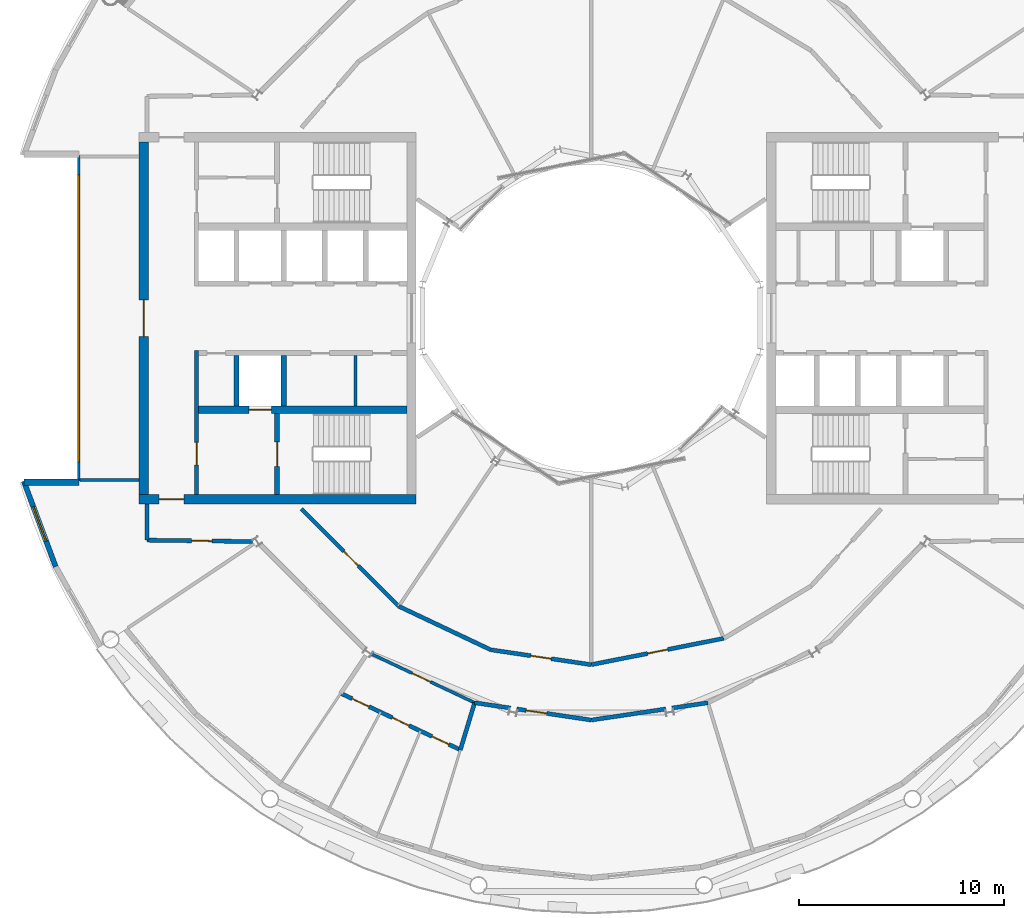
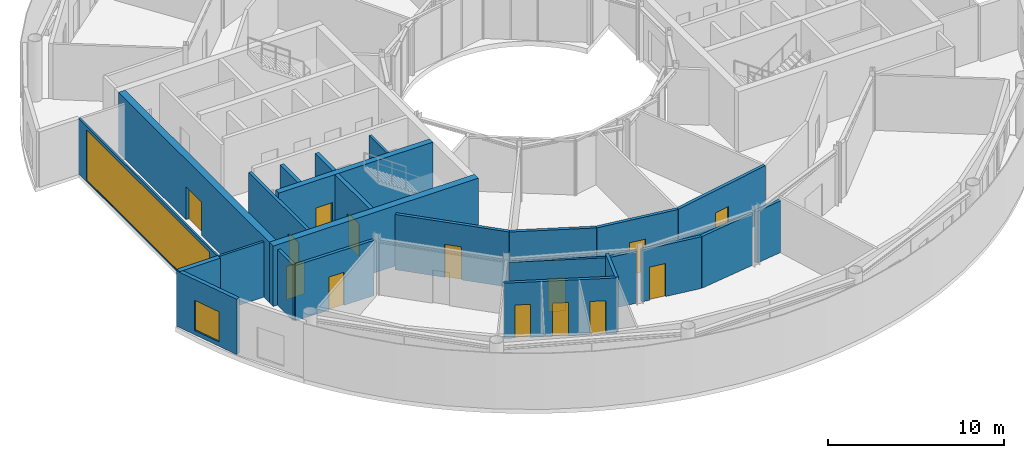
# One storey, part 14 of 22: 25 walls, 14 doors, 2 windows, 16 openings.
"""IFC4 building model written with IfcOpenShell, lengths in metres."""

from ifc_helpers import new_model, si_unit, direction, frame, frame_2d, origin, place, context, subcontext, project, spatial, rectangle, extrude, material, layer, layer_set, type_object, element, fill, save


model = new_model("IFC4")

# Units and contexts
model_context = context("Model", 3, precision=1e-05, world=origin(), true_north=direction((0.0, 1.0)))
body_context = subcontext(model_context, "Body", "Model", "MODEL_VIEW")
ifc_project = project(units=[si_unit("LENGTHUNIT", "METRE"), si_unit("AREAUNIT", "SQUARE_METRE"), si_unit("VOLUMEUNIT", "CUBIC_METRE"), si_unit("PLANEANGLEUNIT", "RADIAN"), si_unit("MASSUNIT", "GRAM", prefix="KILO")], contexts=[model_context])

# Site, building, storey
site_placement = place(None, origin())
site = spatial("IfcSite", under=ifc_project, at=site_placement, CompositionType="ELEMENT")
building_placement = place(site_placement, origin())
building = spatial("IfcBuilding", under=site, at=building_placement, Name="Maasbend Ring Residences", CompositionType="ELEMENT")
storey_placement = place(building_placement, frame((0.0, 0.0, 208.5)))
storey = spatial("IfcBuildingStorey", under=building, at=storey_placement, Name="L60", CompositionType="ELEMENT", Elevation=208.5)

# Wall, opening, door
ifc_material_1 = material(Name="Concrete C50/60", Category="concrete")
ifc_layer_1 = layer(ifc_material_1, 0.25)
ifc_layer_set_1 = layer_set([ifc_layer_1], Name="Concrete C50/60")
wall_type_1 = type_object("IfcWallType", Name="CORE WALL 250 C50/60", PredefinedType="SHEAR", material=ifc_layer_set_1)
wall_1_placement = place(storey_placement, frame((-15.324951171875, -4.64990234375, 0.0), z_axis=(0.0, 0.0, 1.0), x_axis=(0.0, -1.0, 0.0)))
wall_1 = element("IfcWall", 1, at=wall_1_placement, inside=storey, type_object=wall_type_1, Name="L60 core W wall STEN", PredefinedType="SHEAR", context=body_context, shape_type="SweptSolid", body=[
    extrude(rectangle(XDim=3.9501953125, YDim=0.25, at=frame_2d((1.97509765625, 0.0))), origin(), (0.0, 0.0, 1.0), 4.199951171875),
])
opening_1_placement = place(wall_1_placement, frame((1.375, 0.0, 0.0)))
opening_1 = element("IfcOpeningElement", 2, at=opening_1_placement, cuts=wall_1, Name="Opening D-W6010", PredefinedType="OPENING", context=body_context, shape_type="SweptSolid", body=[
    extrude(rectangle(XDim=1.199951171875, YDim=2.300048828125, at=frame_2d((0.60009765625, 1.14990234375))), frame((0.0, 0.135009765625, 0.0), z_axis=(0.0, -1.0, 0.0), x_axis=(1.0, 0.0, 0.0)), (0.0, 0.0, 1.0), 0.27001953125),
])
ifc_material_2 = material(Name="Steel, powder coated", Category="steel")
door_type_1 = type_object("IfcDoorType", Name="STAIR DOOR 1200 X 2300 FD60", OperationType="NOTDEFINED", PredefinedType="DOOR", material=ifc_material_2)
door_1_placement = place(opening_1_placement, origin())
door_1 = element("IfcDoor", 3, at=door_1_placement, inside=storey, type_object=door_type_1, Name="Stair door ST-W L60", OperationType="SINGLE_SWING_LEFT", OverallHeight=2.300048828125, OverallWidth=1.199951171875, PredefinedType="DOOR", context=body_context, shape_type="SweptSolid", body=[
    extrude(rectangle(XDim=1.199951171875, YDim=2.300048828125, at=frame_2d((0.60009765625, 1.14990234375))), frame((0.0, 0.02490234375, 0.0), z_axis=(0.0, -1.0, 0.0), x_axis=(1.0, 0.0, 0.0)), (0.0, 0.0, 1.0), 0.050048828125),
])
fill(opening_1, door_1)

ifc_material_3 = material(Name="Concrete C50/60", Category="concrete")
ifc_layer_2 = layer(ifc_material_3, 0.375)
ifc_layer_set_2 = layer_set([ifc_layer_2], Name="Concrete C50/60")
wall_type_2 = type_object("IfcWallType", Name="CORE WALL 375 C50/60", PredefinedType="SHEAR", material=ifc_layer_set_2)
wall_2_placement = place(storey_placement, frame((-9.0, -4.46240234375, 0.0), z_axis=(0.0, 0.0, 1.0), x_axis=(-1.0, 0.0, 0.0)))
wall_2 = element("IfcWall", 4, at=wall_2_placement, inside=storey, type_object=wall_type_2, Name="L60 core W wall BN", PredefinedType="SHEAR", context=body_context, shape_type="SweptSolid", body=[
    extrude(rectangle(XDim=10.14990234375, YDim=0.375, at=frame_2d((5.074951171875, 0.0))), origin(), (0.0, 0.0, 1.0), 4.199951171875),
])
opening_2_placement = place(wall_2_placement, frame((6.60009765625, 0.0, 0.0)))
opening_2 = element("IfcOpeningElement", 5, at=opening_2_placement, cuts=wall_2, Name="Opening LD-W6001", PredefinedType="OPENING", context=body_context, shape_type="SweptSolid", body=[
    extrude(rectangle(XDim=1.10009765625, YDim=2.300048828125, at=frame_2d((0.550048828125, 1.14990234375))), frame((0.0, 0.197509765625, 0.0), z_axis=(0.0, -1.0, 0.0), x_axis=(1.0, 0.0, 0.0)), (0.0, 0.0, 1.0), 0.39501953125),
])
ifc_material_4 = material(Name="Stainless steel 316", Category="steel")
door_type_2 = type_object("IfcDoorType", Name="LANDING DOOR 1100 X 2300 FD60", OperationType="DOUBLE_DOOR_SLIDING", PredefinedType="DOOR", material=ifc_material_4)
door_2_placement = place(opening_2_placement, origin())
door_2 = element("IfcDoor", 6, at=door_2_placement, inside=storey, type_object=door_type_2, Name="Landing door FF-W L60", OperationType="DOUBLE_DOOR_SLIDING", OverallHeight=2.300048828125, OverallWidth=1.10009765625, PredefinedType="DOOR", context=body_context, shape_type="SweptSolid", body=[
    extrude(rectangle(XDim=1.10009765625, YDim=2.300048828125, at=frame_2d((0.550048828125, 1.14990234375))), frame((0.0, 0.02490234375, 0.0), z_axis=(0.0, -1.0, 0.0), x_axis=(1.0, 0.0, 0.0)), (0.0, 0.0, 1.0), 0.050048828125),
])
fill(opening_2, door_2)

ifc_material_5 = material(Name="Concrete C50/60", Category="concrete")
ifc_layer_3 = layer(ifc_material_5, 0.449951171875)
ifc_layer_set_3 = layer_set([ifc_layer_3], Name="Concrete C50/60")
wall_type_3 = type_object("IfcWallType", Name="CORE WALL 450 C50/60", PredefinedType="SHEAR", material=ifc_layer_set_3)
wall_3_placement = place(storey_placement, frame((-22.050048828125, -8.824951171875, 0.0), z_axis=(0.0, 0.0, 1.0), x_axis=(1.0, 0.0, 0.0)))
wall_3 = element("IfcWall", 7, at=wall_3_placement, inside=storey, type_object=wall_type_3, Name="L60 core W wall PN", PredefinedType="SHEAR", context=body_context, shape_type="SweptSolid", body=[
    extrude(rectangle(XDim=13.5, YDim=0.449951171875, at=frame_2d((6.75, 0.0))), origin(), (0.0, 0.0, 1.0), 4.199951171875),
])
opening_3_placement = place(wall_3_placement, frame((0.97509765625, 0.0, 0.0)))
opening_3 = element("IfcOpeningElement", 8, at=opening_3_placement, cuts=wall_3, Name="Opening D-W6014", PredefinedType="OPENING", context=body_context, shape_type="SweptSolid", body=[
    extrude(rectangle(XDim=1.199951171875, YDim=2.300048828125, at=frame_2d((0.60009765625, 1.14990234375))), frame((0.0, 0.23486328125, 0.0), z_axis=(0.0, -1.0, 0.0), x_axis=(1.0, 0.0, 0.0)), (0.0, 0.0, 1.0), 0.469970703125),
])
ifc_material_6 = material(Name="Steel, powder coated", Category="steel")
door_type_3 = type_object("IfcDoorType", Name="CORRIDOR DOOR 1200 X 2300 FD30S", OperationType="NOTDEFINED", PredefinedType="DOOR", material=ifc_material_6)
door_3_placement = place(opening_3_placement, origin())
door_3 = element("IfcDoor", 9, at=door_3_placement, inside=storey, type_object=door_type_3, Name="Corridor door L60", OperationType="SINGLE_SWING_RIGHT", OverallHeight=2.300048828125, OverallWidth=1.199951171875, PredefinedType="DOOR", context=body_context, shape_type="SweptSolid", body=[
    extrude(rectangle(XDim=1.199951171875, YDim=2.300048828125, at=frame_2d((0.60009765625, 1.14990234375))), frame((0.0, 0.02490234375, 0.0), z_axis=(0.0, -1.0, 0.0), x_axis=(1.0, 0.0, 0.0)), (0.0, 0.0, 1.0), 0.050048828125),
])
fill(opening_3, door_3)

wall_4_placement = place(storey_placement, frame((-21.824951171875, -8.60009765625, 0.0), z_axis=(0.0, 0.0, 1.0), x_axis=(0.0, 1.0, 0.0)))
wall_4 = element("IfcWall", 10, at=wall_4_placement, inside=storey, type_object=wall_type_3, Name="L60 core W wall POUT", PredefinedType="SHEAR", context=body_context, shape_type="SweptSolid", body=[
    extrude(rectangle(XDim=17.2001953125, YDim=0.449951171875, at=frame_2d((8.60009765625, 0.0))), origin(), (0.0, 0.0, 1.0), 4.199951171875),
])
opening_4_placement = place(wall_4_placement, frame((7.699951171875, 0.0, 0.0)))
opening_4 = element("IfcOpeningElement", 11, at=opening_4_placement, cuts=wall_4, Name="Opening D-W6016", PredefinedType="OPENING", context=body_context, shape_type="SweptSolid", body=[
    extrude(rectangle(XDim=1.800048828125, YDim=2.300048828125, at=frame_2d((0.89990234375, 1.14990234375))), frame((0.0, 0.23486328125, 0.0), z_axis=(0.0, -1.0, 0.0), x_axis=(1.0, 0.0, 0.0)), (0.0, 0.0, 1.0), 0.469970703125),
])
ifc_material_7 = material(Name="Aluminium frame, clear glass", Category="aluminium")
door_type_4 = type_object("IfcDoorType", Name="ENTRANCE DOOR 1800 X 2300 FD60", OperationType="NOTDEFINED", PredefinedType="DOOR", material=ifc_material_7)
door_4_placement = place(opening_4_placement, origin())
door_4 = element("IfcDoor", 12, at=door_4_placement, inside=storey, type_object=door_type_4, Name="Lobby glazed door L60", OperationType="SINGLE_SWING_LEFT", OverallHeight=2.300048828125, OverallWidth=1.800048828125, PredefinedType="DOOR", context=body_context, shape_type="SweptSolid", body=[
    extrude(rectangle(XDim=1.800048828125, YDim=2.300048828125, at=frame_2d((0.89990234375, 1.14990234375))), frame((0.0, 0.02490234375, 0.0), z_axis=(0.0, -1.0, 0.0), x_axis=(1.0, 0.0, 0.0)), (0.0, 0.0, 1.0), 0.050048828125),
])
fill(opening_4, door_4)

# Wall, openings, doors
ifc_material_8 = material(Name="Concrete C30/37", Category="concrete")
ifc_layer_4 = layer(ifc_material_8, 0.199951171875)
ifc_layer_set_4 = layer_set([ifc_layer_4], Name="Concrete C30/37")
wall_type_4 = type_object("IfcWallType", Name="CORRIDOR WALL 200 CONCRETE", PredefinedType="PARTITIONING", material=ifc_layer_set_4)
wall_5_placement = place(storey_placement, frame((-12.222900390625, -18.2939453125, 0.0), z_axis=(0.0, 0.0, 1.0), x_axis=(0.904110764787, -0.427298168726, 0.0)))
wall_5 = element("IfcWall", 13, at=wall_5_placement, inside=storey, type_object=wall_type_4, Name="U-L60-w001", PredefinedType="PARTITIONING", context=body_context, shape_type="SweptSolid", body=[
    extrude(rectangle(XDim=6.459228515625, YDim=0.199951171875, at=frame_2d((3.2294921875, 0.0))), origin(), (0.0, 0.0, 1.0), 3.85009765625),
])
opening_5_placement = place(wall_5_placement, frame((0.6240234375, 0.0, 0.0)))
opening_5 = element("IfcOpeningElement", 14, at=opening_5_placement, cuts=wall_5, Name="Opening D-6005", PredefinedType="OPENING", context=body_context, shape_type="SweptSolid", body=[
    extrude(rectangle(XDim=0.89990234375, YDim=2.300048828125, at=frame_2d((0.449951171875, 1.14990234375))), frame((0.0, 0.10986328125, 0.0), z_axis=(0.0, -1.0, 0.0), x_axis=(1.0, 0.0, 0.0)), (0.0, 0.0, 1.0), 0.219970703125),
])
opening_6_placement = place(wall_5_placement, frame((2.7880859375, 0.0, 0.0)))
opening_6 = element("IfcOpeningElement", 15, at=opening_6_placement, cuts=wall_5, Name="Opening D-6006", PredefinedType="OPENING", context=body_context, shape_type="SweptSolid", body=[
    extrude(rectangle(XDim=0.89990234375, YDim=2.300048828125, at=frame_2d((0.449951171875, 1.14990234375))), frame((0.0, 0.10986328125, 0.0), z_axis=(0.0, -1.0, 0.0), x_axis=(1.0, 0.0, 0.0)), (0.0, 0.0, 1.0), 0.219970703125),
])
opening_7_placement = place(wall_5_placement, frame((4.929931640625, 0.0, 0.0)))
opening_7 = element("IfcOpeningElement", 16, at=opening_7_placement, cuts=wall_5, Name="Opening D-6007", PredefinedType="OPENING", context=body_context, shape_type="SweptSolid", body=[
    extrude(rectangle(XDim=0.89990234375, YDim=2.300048828125, at=frame_2d((0.449951171875, 1.14990234375))), frame((0.0, 0.10986328125, 0.0), z_axis=(0.0, -1.0, 0.0), x_axis=(1.0, 0.0, 0.0)), (0.0, 0.0, 1.0), 0.219970703125),
])
ifc_material_9 = material(Name="Timber, painted", Category="wood")
door_type_5 = type_object("IfcDoorType", Name="INTERNAL DOOR 900 X 2300", OperationType="NOTDEFINED", PredefinedType="DOOR", material=ifc_material_9)
door_5_placement = place(opening_5_placement, origin())
door_5 = element("IfcDoor", 17, at=door_5_placement, inside=storey, type_object=door_type_5, Name="D-6005", OperationType="SINGLE_SWING_LEFT", OverallHeight=2.300048828125, OverallWidth=0.89990234375, PredefinedType="DOOR", context=body_context, shape_type="SweptSolid", body=[
    extrude(rectangle(XDim=0.89990234375, YDim=2.300048828125, at=frame_2d((0.449951171875, 1.14990234375))), frame((0.0, 0.02490234375, 0.0), z_axis=(0.0, -1.0, 0.0), x_axis=(1.0, 0.0, 0.0)), (0.0, 0.0, 1.0), 0.050048828125),
])
fill(opening_5, door_5)
door_6_placement = place(opening_6_placement, origin())
door_6 = element("IfcDoor", 18, at=door_6_placement, inside=storey, type_object=door_type_5, Name="D-6006", OperationType="SINGLE_SWING_RIGHT", OverallHeight=2.300048828125, OverallWidth=0.89990234375, PredefinedType="DOOR", context=body_context, shape_type="SweptSolid", body=[
    extrude(rectangle(XDim=0.89990234375, YDim=2.300048828125, at=frame_2d((0.449951171875, 1.14990234375))), frame((0.0, 0.02490234375, 0.0), z_axis=(0.0, -1.0, 0.0), x_axis=(1.0, 0.0, 0.0)), (0.0, 0.0, 1.0), 0.050048828125),
])
fill(opening_6, door_6)
door_7_placement = place(opening_7_placement, origin())
door_7 = element("IfcDoor", 19, at=door_7_placement, inside=storey, type_object=door_type_5, Name="D-6007", OperationType="SINGLE_SWING_RIGHT", OverallHeight=2.300048828125, OverallWidth=0.89990234375, PredefinedType="DOOR", context=body_context, shape_type="SweptSolid", body=[
    extrude(rectangle(XDim=0.89990234375, YDim=2.300048828125, at=frame_2d((0.449951171875, 1.14990234375))), frame((0.0, 0.02490234375, 0.0), z_axis=(0.0, -1.0, 0.0), x_axis=(1.0, 0.0, 0.0)), (0.0, 0.0, 1.0), 0.050048828125),
])
fill(opening_7, door_7)

# Wall
wall_6_placement = place(storey_placement, frame((-5.68994140625, -18.756103515625, 0.0), z_axis=(0.0, 0.0, 1.0), x_axis=(0.989189411235, -0.1466434748, 0.0)))
element("IfcWall", 20, at=wall_6_placement, inside=storey, type_object=wall_type_4, Name="U-L60-w005", PredefinedType="PARTITIONING", context=body_context, shape_type="SweptSolid", body=[
    extrude(rectangle(XDim=1.773193359375, YDim=0.199951171875, at=frame_2d((0.88671875, 0.0))), origin(), (0.0, 0.0, 1.0), 3.60009765625),
])

# Wall, opening, door
wall_7_placement = place(storey_placement, frame((-3.637939453125, -19.06005859375, 0.0), z_axis=(0.0, 0.0, 1.0), x_axis=(0.989160650509, -0.146837350441, 0.0)))
wall_7 = element("IfcWall", 21, at=wall_7_placement, inside=storey, type_object=wall_type_4, Name="U-L60-w006", PredefinedType="PARTITIONING", context=body_context, shape_type="SweptSolid", body=[
    extrude(rectangle(XDim=3.677734375, YDim=0.199951171875, at=frame_2d((1.8388671875, 0.0))), origin(), (0.0, 0.0, 1.0), 3.60009765625),
])
opening_8_placement = place(wall_7_placement, frame((0.47607421875, 0.0, 0.0)))
opening_8 = element("IfcOpeningElement", 22, at=opening_8_placement, cuts=wall_7, Name="Opening D-6017", PredefinedType="OPENING", context=body_context, shape_type="SweptSolid", body=[
    extrude(rectangle(XDim=1.0, YDim=2.300048828125, at=frame_2d((0.5, 1.14990234375))), frame((0.0, 0.10986328125, 0.0), z_axis=(0.0, -1.0, 0.0), x_axis=(1.0, 0.0, 0.0)), (0.0, 0.0, 1.0), 0.219970703125),
])
ifc_material_10 = material(Name="Timber, painted", Category="wood")
door_type_6 = type_object("IfcDoorType", Name="ROOM DOOR 1000 X 2300", OperationType="NOTDEFINED", PredefinedType="DOOR", material=ifc_material_10)
door_8_placement = place(opening_8_placement, origin())
door_8 = element("IfcDoor", 23, at=door_8_placement, inside=storey, type_object=door_type_6, Name="D-6017", OperationType="SINGLE_SWING_LEFT", OverallHeight=2.300048828125, OverallWidth=1.0, PredefinedType="DOOR", context=body_context, shape_type="SweptSolid", body=[
    extrude(rectangle(XDim=1.0, YDim=2.300048828125, at=frame_2d((0.5, 1.14990234375))), frame((0.0, 0.02490234375, 0.0), z_axis=(0.0, -1.0, 0.0), x_axis=(1.0, 0.0, 0.0)), (0.0, 0.0, 1.0), 0.050048828125),
])
fill(opening_8, door_8)

# Walls
wall_8_placement = place(storey_placement, frame((0.0, -19.60009765625, 0.0), z_axis=(0.0, 0.0, 1.0), x_axis=(0.989160650509, 0.146837350441, 0.0)))
element("IfcWall", 24, at=wall_8_placement, inside=storey, type_object=wall_type_4, Name="U-L60-w007", PredefinedType="PARTITIONING", context=body_context, shape_type="SweptSolid", body=[
    extrude(rectangle(XDim=3.677734375, YDim=0.199951171875, at=frame_2d((1.8388671875, 0.0))), origin(), (0.0, 0.0, 1.0), 3.60009765625),
])
wall_9_placement = place(storey_placement, frame((3.93603515625, -19.01611328125, 0.0), z_axis=(0.0, 0.0, 1.0), x_axis=(0.989189411235, 0.1466434748, 0.0)))
element("IfcWall", 25, at=wall_9_placement, inside=storey, type_object=wall_type_4, Name="U-L60-w008", PredefinedType="PARTITIONING", context=body_context, shape_type="SweptSolid", body=[
    extrude(rectangle(XDim=1.773193359375, YDim=0.199951171875, at=frame_2d((0.88671875, 0.0))), origin(), (0.0, 0.0, 1.0), 3.60009765625),
])
wall_10_placement = place(storey_placement, frame((-9.388916015625, -14.052001953125, 0.0), z_axis=(0.0, 0.0, 1.0), x_axis=(0.904000314399, -0.427531790123, 0.0)))
element("IfcWall", 26, at=wall_10_placement, inside=storey, type_object=wall_type_4, Name="U-L60-w013", PredefinedType="PARTITIONING", context=body_context, shape_type="SweptSolid", body=[
    extrude(rectangle(XDim=4.958984375, YDim=0.199951171875, at=frame_2d((2.4794921875, 0.0))), origin(), (0.0, 0.0, 1.0), 3.85009765625),
])

# Wall, opening, door
wall_11_placement = place(storey_placement, frame((-4.906005859375, -16.172119140625, 0.0), z_axis=(0.0, 0.0, 1.0), x_axis=(0.989175164373, -0.146739545409, 0.0)))
wall_11 = element("IfcWall", 27, at=wall_11_placement, inside=storey, type_object=wall_type_4, Name="U-L60-w014", PredefinedType="PARTITIONING", context=body_context, shape_type="SweptSolid", body=[
    extrude(rectangle(XDim=4.959716796875, YDim=0.199951171875, at=frame_2d((2.47998046875, 0.0))), origin(), (0.0, 0.0, 1.0), 3.85009765625),
])
opening_9_placement = place(wall_11_placement, frame((1.97998046875, 0.0, 0.0)))
opening_9 = element("IfcOpeningElement", 28, at=opening_9_placement, cuts=wall_11, Name="Opening D-6020", PredefinedType="OPENING", context=body_context, shape_type="SweptSolid", body=[
    extrude(rectangle(XDim=1.0, YDim=2.300048828125, at=frame_2d((0.5, 1.14990234375))), frame((0.0, 0.10986328125, 0.0), z_axis=(0.0, -1.0, 0.0), x_axis=(1.0, 0.0, 0.0)), (0.0, 0.0, 1.0), 0.219970703125),
])
door_9_placement = place(opening_9_placement, origin())
door_9 = element("IfcDoor", 29, at=door_9_placement, inside=storey, type_object=door_type_6, Name="D-6020", OperationType="SINGLE_SWING_LEFT", OverallHeight=2.300048828125, OverallWidth=1.0, PredefinedType="DOOR", context=body_context, shape_type="SweptSolid", body=[
    extrude(rectangle(XDim=1.0, YDim=2.300048828125, at=frame_2d((0.5, 1.14990234375))), frame((0.0, 0.02490234375, 0.0), z_axis=(0.0, -1.0, 0.0), x_axis=(1.0, 0.0, 0.0)), (0.0, 0.0, 1.0), 0.050048828125),
])
fill(opening_9, door_9)

wall_12_placement = place(storey_placement, frame((-14.14111328125, -9.300048828125, 0.0), z_axis=(0.0, 0.0, 1.0), x_axis=(0.707124944964, -0.707088616942, 0.0)))
wall_12 = element("IfcWall", 30, at=wall_12_placement, inside=storey, type_object=wall_type_4, Name="U-L60-w017", PredefinedType="PARTITIONING", context=body_context, shape_type="SweptSolid", body=[
    extrude(rectangle(XDim=6.720458984375, YDim=0.199951171875, at=frame_2d((3.3603515625, 0.0))), origin(), (0.0, 0.0, 1.0), 3.85009765625),
])
opening_10_placement = place(wall_12_placement, frame((2.923095703125, 0.0, 0.0)))
opening_10 = element("IfcOpeningElement", 31, at=opening_10_placement, cuts=wall_12, Name="Opening D-6019", PredefinedType="OPENING", context=body_context, shape_type="SweptSolid", body=[
    extrude(rectangle(XDim=1.0, YDim=2.300048828125, at=frame_2d((0.5, 1.14990234375))), frame((0.0, 0.10986328125, 0.0), z_axis=(0.0, -1.0, 0.0), x_axis=(1.0, 0.0, 0.0)), (0.0, 0.0, 1.0), 0.219970703125),
])
door_10_placement = place(opening_10_placement, origin())
door_10 = element("IfcDoor", 32, at=door_10_placement, inside=storey, type_object=door_type_6, Name="D-6019", OperationType="SINGLE_SWING_LEFT", OverallHeight=2.300048828125, OverallWidth=1.0, PredefinedType="DOOR", context=body_context, shape_type="SweptSolid", body=[
    extrude(rectangle(XDim=1.0, YDim=2.300048828125, at=frame_2d((0.5, 1.14990234375))), frame((0.0, 0.02490234375, 0.0), z_axis=(0.0, -1.0, 0.0), x_axis=(1.0, 0.0, 0.0)), (0.0, 0.0, 1.0), 0.050048828125),
])
fill(opening_10, door_10)

wall_13_placement = place(storey_placement, frame((0.0, -16.89990234375, 0.0), z_axis=(0.0, 0.0, 1.0), x_axis=(0.980799374359, 0.195019453537, 0.0)))
wall_13 = element("IfcWall", 33, at=wall_13_placement, inside=storey, type_object=wall_type_4, Name="U-L60-w018", PredefinedType="PARTITIONING", context=body_context, shape_type="SweptSolid", body=[
    extrude(rectangle(XDim=6.59375, YDim=0.199951171875, at=frame_2d((3.296875, 0.0))), origin(), (0.0, 0.0, 1.0), 3.85009765625),
])
opening_11_placement = place(wall_13_placement, frame((2.797119140625, 0.0, 0.0)))
opening_11 = element("IfcOpeningElement", 34, at=opening_11_placement, cuts=wall_13, Name="Opening D-6021", PredefinedType="OPENING", context=body_context, shape_type="SweptSolid", body=[
    extrude(rectangle(XDim=1.0, YDim=2.300048828125, at=frame_2d((0.5, 1.14990234375))), frame((0.0, 0.10986328125, 0.0), z_axis=(0.0, -1.0, 0.0), x_axis=(1.0, 0.0, 0.0)), (0.0, 0.0, 1.0), 0.219970703125),
])
door_11_placement = place(opening_11_placement, origin())
door_11 = element("IfcDoor", 35, at=door_11_placement, inside=storey, type_object=door_type_6, Name="D-6021", OperationType="SINGLE_SWING_LEFT", OverallHeight=2.300048828125, OverallWidth=1.0, PredefinedType="DOOR", context=body_context, shape_type="SweptSolid", body=[
    extrude(rectangle(XDim=1.0, YDim=2.300048828125, at=frame_2d((0.5, 1.14990234375))), frame((0.0, 0.02490234375, 0.0), z_axis=(0.0, -1.0, 0.0), x_axis=(1.0, 0.0, 0.0)), (0.0, 0.0, 1.0), 0.050048828125),
])
fill(opening_11, door_11)

wall_14_placement = place(storey_placement, frame((-21.675048828125, -10.824951171875, 0.0), z_axis=(0.0, 0.0, 1.0), x_axis=(0.999909707888, -0.013437859594, 0.0)))
wall_14 = element("IfcWall", 36, at=wall_14_placement, inside=storey, type_object=wall_type_4, Name="U-L60-w019", PredefinedType="PARTITIONING", context=body_context, shape_type="SweptSolid", body=[
    extrude(rectangle(XDim=5.1416015625, YDim=0.199951171875, at=frame_2d((2.57080078125, 0.0))), origin(), (0.0, 0.0, 1.0), 3.85009765625),
])
opening_12_placement = place(wall_14_placement, frame((2.18310546875, 0.0, 0.0)))
opening_12 = element("IfcOpeningElement", 37, at=opening_12_placement, cuts=wall_14, Name="Opening D-6023", PredefinedType="OPENING", context=body_context, shape_type="SweptSolid", body=[
    extrude(rectangle(XDim=1.0, YDim=2.300048828125, at=frame_2d((0.5, 1.14990234375))), frame((0.0, 0.10986328125, 0.0), z_axis=(0.0, -1.0, 0.0), x_axis=(1.0, 0.0, 0.0)), (0.0, 0.0, 1.0), 0.219970703125),
])
door_12_placement = place(opening_12_placement, origin())
door_12 = element("IfcDoor", 38, at=door_12_placement, inside=storey, type_object=door_type_6, Name="D-6023", OperationType="SINGLE_SWING_RIGHT", OverallHeight=2.300048828125, OverallWidth=1.0, PredefinedType="DOOR", context=body_context, shape_type="SweptSolid", body=[
    extrude(rectangle(XDim=1.0, YDim=2.300048828125, at=frame_2d((0.5, 1.14990234375))), frame((0.0, 0.02490234375, 0.0), z_axis=(0.0, -1.0, 0.0), x_axis=(1.0, 0.0, 0.0)), (0.0, 0.0, 1.0), 0.050048828125),
])
fill(opening_12, door_12)

# Walls
wall_15_placement = place(storey_placement, frame((-6.385986328125, -21.052978515625, 0.0), z_axis=(0.0, 0.0, 1.0), x_axis=(0.290015865164, 0.957021837762, 0.0)))
element("IfcWall", 39, at=wall_15_placement, inside=storey, type_object=wall_type_4, Name="U-L60-w045", PredefinedType="PARTITIONING", context=body_context, shape_type="SweptSolid", body=[
    extrude(rectangle(XDim=2.39990234375, YDim=0.199951171875, at=frame_2d((1.199951171875, 0.0))), origin(), (0.0, 0.0, 1.0), 3.85009765625),
])
wall_16_placement = place(storey_placement, frame((-21.675048828125, -10.824951171875, 0.0), z_axis=(0.0, 0.0, 1.0), x_axis=(0.0, 1.0, 0.0)))
element("IfcWall", 40, at=wall_16_placement, inside=storey, type_object=wall_type_4, Name="U-L60-w065", PredefinedType="PARTITIONING", context=body_context, shape_type="SweptSolid", body=[
    extrude(rectangle(XDim=1.77490234375, YDim=0.199951171875, at=frame_2d((0.887451171875, 0.0))), origin(), (0.0, 0.0, 1.0), 3.85009765625),
])

# Wall, opening, window
ifc_material_11 = material(Name="Aluminium clad insulated panel", Category="aluminium")
ifc_layer_5 = layer(ifc_material_11, 0.25)
ifc_layer_set_5 = layer_set([ifc_layer_5], Name="EW-HORN")
wall_type_5 = type_object("IfcWallType", Name="EW-HORN", PredefinedType="SOLIDWALL", material=ifc_layer_set_5)
wall_17_placement = place(storey_placement, frame((-27.681884765625, -7.945068359375, 0.0), z_axis=(0.0, 0.0, 1.0), x_axis=(0.349247811493, -0.937030397675, 0.0)))
wall_17 = element("IfcWall", 41, at=wall_17_placement, inside=storey, type_object=wall_type_5, Name="Horn wall 3.1", PredefinedType="SOLIDWALL", context=body_context, shape_type="SweptSolid", body=[
    extrude(rectangle(XDim=4.4521484375, YDim=0.25, at=frame_2d((2.22607421875, 0.0))), origin(), (0.0, 0.0, 1.0), 3.85009765625),
])
opening_13_placement = place(wall_17_placement, frame((1.32666015625, 0.0, 0.300048828125)))
opening_13 = element("IfcOpeningElement", 42, at=opening_13_placement, cuts=wall_17, Name="Opening W-BX", PredefinedType="OPENING", context=body_context, shape_type="SweptSolid", body=[
    extrude(rectangle(XDim=1.800048828125, YDim=2.10009765625, at=frame_2d((0.89990234375, 1.050048828125))), frame((0.0, 0.135009765625, 0.0), z_axis=(0.0, -1.0, 0.0), x_axis=(1.0, 0.0, 0.0)), (0.0, 0.0, 1.0), 0.27001953125),
])
ifc_material_12 = material(Name="Aluminium and clear glass", Category="aluminium")
window_type_1 = type_object("IfcWindowType", Name="W-BX", PartitioningType="DOUBLE_PANEL_VERTICAL", PredefinedType="WINDOW", material=ifc_material_12)
window_1_placement = place(opening_13_placement, origin())
window_1 = element("IfcWindow", 43, at=window_1_placement, inside=storey, type_object=window_type_1, Name="Horn window 3.1", OverallHeight=2.10009765625, OverallWidth=1.800048828125, PartitioningType="SINGLE_PANEL", PredefinedType="WINDOW", context=body_context, shape_type="SweptSolid", body=[
    extrude(rectangle(XDim=1.800048828125, YDim=2.10009765625, at=frame_2d((0.89990234375, 1.050048828125))), frame((0.0, 0.030029296875, 0.0), z_axis=(0.0, -1.0, 0.0), x_axis=(1.0, 0.0, 0.0)), (0.0, 0.0, 1.0), 0.06005859375),
])
fill(opening_13, window_1)

# Wall
ifc_material_13 = material(Name="Aluminium clad insulated panel", Category="aluminium")
ifc_layer_6 = layer(ifc_material_13, 0.300048828125)
ifc_layer_set_6 = layer_set([ifc_layer_6], Name="EW-RET")
wall_type_6 = type_object("IfcWallType", Name="EW-RET", PredefinedType="SOLIDWALL", material=ifc_layer_set_6)
wall_18_placement = place(storey_placement, frame((-25.0, -8.0, 0.0), z_axis=(0.0, 0.0, 1.0), x_axis=(-1.0, 0.0, 0.0)))
element("IfcWall", 44, at=wall_18_placement, inside=storey, type_object=wall_type_6, Name="Notch return wall west south", PredefinedType="SOLIDWALL", context=body_context, shape_type="SweptSolid", body=[
    extrude(rectangle(XDim=2.6669921875, YDim=0.300048828125, at=frame_2d((1.33349609375, 0.0))), origin(), (0.0, 0.0, 1.0), 3.85009765625),
])

# Wall, opening, window
ifc_material_14 = material(Name="Aluminium frame and clear glass", Category="aluminium")
ifc_layer_7 = layer(ifc_material_14, 0.1201171875)
ifc_layer_set_7 = layer_set([ifc_layer_7], Name="GLAZED SCREEN WALL 120 EI 60")
wall_type_7 = type_object("IfcWallType", Name="GLAZED SCREEN WALL 120 EI 60", PredefinedType="PARTITIONING", material=ifc_layer_set_7)
wall_19_placement = place(storey_placement, frame((-25.0, 7.949951171875, 0.0), z_axis=(0.0, 0.0, 1.0), x_axis=(0.0, -1.0, 0.0)))
wall_19 = element("IfcWall", 45, at=wall_19_placement, inside=storey, type_object=wall_type_7, Name="L60 core W wall FACE", PredefinedType="PARTITIONING", context=body_context, shape_type="SweptSolid", body=[
    extrude(rectangle(XDim=15.89990234375, YDim=0.1201171875, at=frame_2d((7.949951171875, 0.0))), origin(), (0.0, 0.0, 1.0), 3.85009765625),
])
opening_14_placement = place(wall_19_placement, frame((0.949951171875, 0.0, 0.10009765625)))
opening_14 = element("IfcOpeningElement", 46, at=opening_14_placement, cuts=wall_19, Name="Opening W-W6002", PredefinedType="OPENING", context=body_context, shape_type="SweptSolid", body=[
    extrude(rectangle(XDim=14.0, YDim=3.5, at=frame_2d((7.0, 1.75))), frame((0.0, 0.070068359375, 0.0), z_axis=(0.0, -1.0, 0.0), x_axis=(1.0, 0.0, 0.0)), (0.0, 0.0, 1.0), 0.14013671875),
])
ifc_material_15 = material(Name="Aluminium frame and clear glass", Category="aluminium")
window_type_2 = type_object("IfcWindowType", Name="FIXED WINDOW 14000 X 3500", PartitioningType="SINGLE_PANEL", PredefinedType="WINDOW", material=ifc_material_15)
window_2_placement = place(opening_14_placement, origin())
window_2 = element("IfcWindow", 47, at=window_2_placement, inside=storey, type_object=window_type_2, Name="Lobby window L60", OverallHeight=3.5, OverallWidth=14.0, PartitioningType="SINGLE_PANEL", PredefinedType="WINDOW", context=body_context, shape_type="SweptSolid", body=[
    extrude(rectangle(XDim=14.0, YDim=3.5, at=frame_2d((7.0, 1.75))), frame((0.0, 0.030029296875, 0.0), z_axis=(0.0, -1.0, 0.0), x_axis=(1.0, 0.0, 0.0)), (0.0, 0.0, 1.0), 0.06005859375),
])
fill(opening_14, window_2)

# Walls
ifc_material_16 = material(Name="Gypsum board on steel studs", Category="steel")
ifc_layer_8 = layer(ifc_material_16, 0.14990234375)
ifc_layer_set_8 = layer_set([ifc_layer_8], Name="PARTITION 150 EI 60")
wall_type_8 = type_object("IfcWallType", Name="PARTITION 150 EI 60", PredefinedType="PARTITIONING", material=ifc_layer_set_8)
wall_20_placement = place(storey_placement, frame((-11.5, -1.824951171875, 0.0), z_axis=(0.0, 0.0, 1.0), x_axis=(0.0, -1.0, 0.0)))
element("IfcWall", 48, at=wall_20_placement, inside=storey, type_object=wall_type_8, Name="L60 core W wall PRN1150", PredefinedType="PARTITIONING", context=body_context, shape_type="SweptSolid", body=[
    extrude(rectangle(XDim=2.449951171875, YDim=0.14990234375, at=frame_2d((1.22509765625, 0.0))), origin(), (0.0, 0.0, 1.0), 3.85009765625),
])
wall_21_placement = place(storey_placement, frame((-22.050048828125, -7.89990234375, 0.0), z_axis=(0.0, 0.0, 1.0), x_axis=(-1.0, 0.0, 0.0)))
element("IfcWall", 49, at=wall_21_placement, inside=storey, type_object=wall_type_8, Name="L60 core W wall CITN", PredefinedType="PARTITIONING", context=body_context, shape_type="SweptSolid", body=[
    extrude(rectangle(XDim=2.889892578125, YDim=0.14990234375, at=frame_2d((1.44482421875, 0.0))), origin(), (0.0, 0.0, 1.0), 3.85009765625),
])

# Wall, opening, door
ifc_material_17 = material(Name="Gypsum board on steel studs", Category="steel")
ifc_layer_9 = layer(ifc_material_17, 0.14990234375)
ifc_layer_set_9 = layer_set([ifc_layer_9], Name="PARTITION 150 GYPSUM")
wall_type_9 = type_object("IfcWallType", Name="PARTITION 150 GYPSUM", PredefinedType="PARTITIONING", material=ifc_layer_set_9)
wall_22_placement = place(storey_placement, frame((-10.751953125, -16.362060546875, 0.0), z_axis=(0.0, 0.0, 1.0), x_axis=(0.903996904196, -0.427539000798, 0.0)))
wall_22 = element("IfcWall", 50, at=wall_22_placement, inside=storey, type_object=wall_type_9, Name="U-L60-w004", PredefinedType="PARTITIONING", context=body_context, shape_type="SweptSolid", body=[
    extrude(rectangle(XDim=5.599609375, YDim=0.14990234375, at=frame_2d((2.7998046875, 0.0))), origin(), (0.0, 0.0, 1.0), 3.60009765625),
])
opening_15_placement = place(wall_22_placement, frame((2.22412109375, 0.0, 0.0)))
opening_15 = element("IfcOpeningElement", 51, at=opening_15_placement, cuts=wall_22, Name="Opening D-6004", PredefinedType="OPENING", context=body_context, shape_type="SweptSolid", body=[
    extrude(rectangle(XDim=1.0, YDim=2.300048828125, at=frame_2d((0.5, 1.14990234375))), frame((0.0, 0.0849609375, 0.0), z_axis=(0.0, -1.0, 0.0), x_axis=(1.0, 0.0, 0.0)), (0.0, 0.0, 1.0), 0.169921875),
])
door_13_placement = place(opening_15_placement, origin())
door_13 = element("IfcDoor", 52, at=door_13_placement, inside=storey, type_object=door_type_6, Name="D-6004", OperationType="SINGLE_SWING_LEFT", OverallHeight=2.300048828125, OverallWidth=1.0, PredefinedType="DOOR", context=body_context, shape_type="SweptSolid", body=[
    extrude(rectangle(XDim=1.0, YDim=2.300048828125, at=frame_2d((0.5, 1.14990234375))), frame((0.0, 0.02490234375, 0.0), z_axis=(0.0, -1.0, 0.0), x_axis=(1.0, 0.0, 0.0)), (0.0, 0.0, 1.0), 0.050048828125),
])
fill(opening_15, door_13)

ifc_material_18 = material(Name="Concrete C30/37", Category="concrete")
ifc_layer_10 = layer(ifc_material_18, 0.199951171875)
ifc_layer_set_10 = layer_set([ifc_layer_10], Name="Concrete C30/37")
wall_type_10 = type_object("IfcWallType", Name="SHAFT WALL 200 EI 120", PredefinedType="SOLIDWALL", material=ifc_layer_set_10)
wall_23_placement = place(storey_placement, frame((-19.25, -1.574951171875, 0.0), z_axis=(0.0, 0.0, 1.0), x_axis=(0.0, -1.0, 0.0)))
wall_23 = element("IfcWall", 53, at=wall_23_placement, inside=storey, type_object=wall_type_10, Name="L60 core W wall ENDN", PredefinedType="SOLIDWALL", context=body_context, shape_type="SweptSolid", body=[
    extrude(rectangle(XDim=7.025146484375, YDim=0.199951171875, at=frame_2d((3.5126953125, 0.0))), origin(), (0.0, 0.0, 1.0), 3.85009765625),
])
opening_16_placement = place(wall_23_placement, frame((4.47509765625, 0.0, 0.0)))
opening_16 = element("IfcOpeningElement", 54, at=opening_16_placement, cuts=wall_23, Name="Opening D-W6012", PredefinedType="OPENING", context=body_context, shape_type="SweptSolid", body=[
    extrude(rectangle(XDim=1.10009765625, YDim=2.300048828125, at=frame_2d((0.550048828125, 1.14990234375))), frame((0.0, 0.10986328125, 0.0), z_axis=(0.0, -1.0, 0.0), x_axis=(1.0, 0.0, 0.0)), (0.0, 0.0, 1.0), 0.219970703125),
])
ifc_material_19 = material(Name="Steel, powder coated", Category="steel")
door_type_7 = type_object("IfcDoorType", Name="LOBBY DOOR 1100 X 2300 FD60", OperationType="NOTDEFINED", PredefinedType="DOOR", material=ifc_material_19)
door_14_placement = place(opening_16_placement, origin())
door_14 = element("IfcDoor", 55, at=door_14_placement, inside=storey, type_object=door_type_7, Name="Lobby door L60", OperationType="SINGLE_SWING_LEFT", OverallHeight=2.300048828125, OverallWidth=1.10009765625, PredefinedType="DOOR", context=body_context, shape_type="SweptSolid", body=[
    extrude(rectangle(XDim=1.10009765625, YDim=2.300048828125, at=frame_2d((0.550048828125, 1.14990234375))), frame((0.0, 0.02490234375, 0.0), z_axis=(0.0, -1.0, 0.0), x_axis=(1.0, 0.0, 0.0)), (0.0, 0.0, 1.0), 0.050048828125),
])
fill(opening_16, door_14)

# Walls
ifc_material_20 = material(Name="Concrete C30/37", Category="concrete")
ifc_layer_11 = layer(ifc_material_20, 0.25)
ifc_layer_set_11 = layer_set([ifc_layer_11], Name="Concrete C30/37")
wall_type_11 = type_object("IfcWallType", Name="SHAFT WALL 250 EI 120", PredefinedType="SOLIDWALL", material=ifc_layer_set_11)
for number, where, z_axis, x_axis, name in (
    (56, (-15.0, -1.824951171875, 0.0), (0.0, 0.0, 1.0), (0.0, -1.0, 0.0), "L60 core W wall D150N"),
    (57, (-17.300048828125, -1.824951171875, 0.0), (0.0, 0.0, 1.0), (0.0, -1.0, 0.0), "L60 core W wall D173N"),
):
    element("IfcWall", number, at=place(storey_placement, frame(where, z_axis=z_axis, x_axis=x_axis)), inside=storey, type_object=wall_type_11, Name=name, PredefinedType="SOLIDWALL", context=body_context, shape_type="SweptSolid", body=[
        extrude(rectangle(XDim=2.449951171875, YDim=0.25, at=frame_2d((1.22509765625, 0.0))), origin(), (0.0, 0.0, 1.0), 3.85009765625),
    ])

save(model, "model.ifc")
